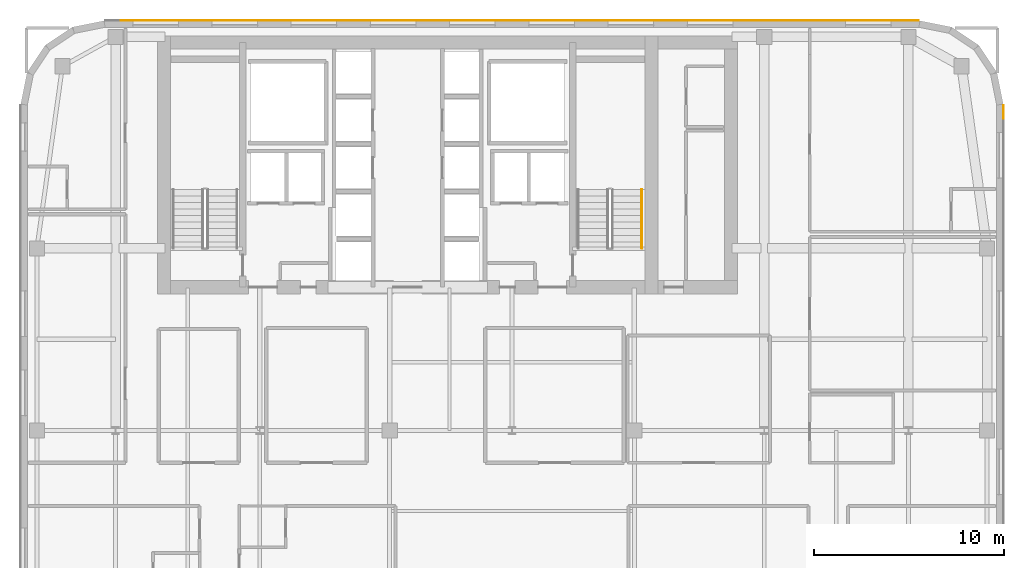
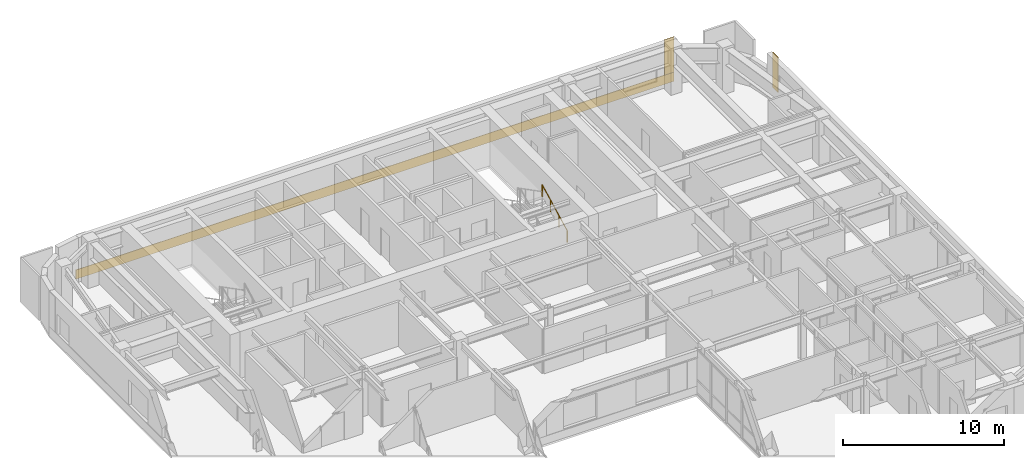
# One storey, part 20 of 20: 3 coverings, 1 railing.
"""IFC4 building model written with IfcOpenShell, lengths in metres."""

from ifc_helpers import new_model, si_unit, direction, frame, origin, origin_2d, place, context, subcontext, project, spatial, polyline, circle, outline, extrude, material, layer, layer_set, type_object, element, save


model = new_model("IFC4")

# Units and contexts
model_context = context("Model", 3, precision=1e-05, world=origin(), true_north=direction((0.0, 1.0)))
body_context = subcontext(model_context, "Body", "Model", "MODEL_VIEW")
ifc_project = project(units=[si_unit("LENGTHUNIT", "METRE"), si_unit("AREAUNIT", "SQUARE_METRE"), si_unit("VOLUMEUNIT", "CUBIC_METRE"), si_unit("PLANEANGLEUNIT", "RADIAN"), si_unit("MASSUNIT", "GRAM", prefix="KILO")], contexts=[model_context])

# Site, building, storey
site_placement = place(None, origin())
site = spatial("IfcSite", under=ifc_project, at=site_placement, CompositionType="ELEMENT")
building_placement = place(site_placement, origin())
building = spatial("IfcBuilding", under=site, at=building_placement, Name="Tolvann Quenvar Hotel", CompositionType="ELEMENT")
storey_placement = place(building_placement, frame((0.0, 0.0, 191.10009765625)))
storey = spatial("IfcBuildingStorey", under=building, at=storey_placement, Name="L50", CompositionType="ELEMENT", Elevation=191.10009765625)

# Coverings
ifc_material_1 = material(Name="Kiln-fired red architectural face brick cladding", Category="masonry")
ifc_layer_1 = layer(ifc_material_1, 0.0400390625)
ifc_layer_set_1 = layer_set([ifc_layer_1], Name="Kiln-fired red architectural face brick cladding")
covering_type_1 = type_object("IfcCoveringType", Name="COV_CLAD_BRICK_40", PredefinedType="CLADDING", material=ifc_layer_set_1)
covering_1_placement = place(storey_placement, frame((0.0, 0.0, 0.699951171875)))
element("IfcCovering", 1, at=covering_1_placement, inside=storey, type_object=covering_type_1, Name="Brick Pier Cladding (L50-E13-P2)", PredefinedType="CLADDING", context=body_context, shape_type="SweptSolid", body=[
    extrude(outline(polyline([(54.39990234375, 40.832763671875), (54.39990234375, 41.53271484375), (54.43994140625, 41.53271484375), (54.43994140625, 40.832763671875), (54.39990234375, 40.832763671875)])), origin(), (0.0, 0.0, 1.0), 2.669921875),
])
covering_2_placement = place(storey_placement, frame((0.0, 0.0, 0.699951171875)))
element("IfcCovering", 2, at=covering_2_placement, inside=storey, type_object=covering_type_1, Name="Brick Pier Cladding (L50-E18-P1)", PredefinedType="CLADDING", context=body_context, shape_type="SweptSolid", body=[
    extrude(outline(polyline([(49.932861328125, 46.0), (49.23291015625, 46.0), (49.23291015625, 46.0400390625), (49.932861328125, 46.0400390625), (49.932861328125, 46.0)])), origin(), (0.0, 0.0, 1.0), 2.669921875),
])
ifc_material_2 = material(Name="Moulded buff architectural terracotta spandrel cladding", Category="masonry")
ifc_layer_2 = layer(ifc_material_2, 0.0400390625)
ifc_layer_set_2 = layer_set([ifc_layer_2], Name="Moulded buff architectural terracotta spandrel cladding")
covering_type_2 = type_object("IfcCoveringType", Name="COV_CLAD_TERRA_40", PredefinedType="CLADDING", material=ifc_layer_set_2)
covering_3_placement = place(storey_placement, origin())
element("IfcCovering", 3, at=covering_3_placement, inside=storey, type_object=covering_type_2, Name="Terracotta Spandrel Cladding (L50-E18)", PredefinedType="CLADDING", context=body_context, shape_type="SweptSolid", body=[
    extrude(outline(polyline([(49.94287109375, 46.0), (7.05712890625, 46.0), (7.05712890625, 46.0400390625), (49.94287109375, 46.0400390625), (49.94287109375, 46.0)])), origin(), (0.0, 0.0, 1.0), 0.699951171875),
])

# Railing
ifc_material_3 = material(Name="Brushed 316 stainless steel balustrade and handrail", Category="steel")
railing_type = type_object("IfcRailingType", Name="HANDRAIL", PredefinedType="HANDRAIL", material=ifc_material_3)
railing_placement = place(storey_placement, frame((35.35009765625, 34.0, 0.177490234375)))
element("IfcRailing", 4, at=railing_placement, inside=storey, type_object=railing_type, Name="L50 ST-C2 stair handrail 1", PredefinedType="HANDRAIL", context=body_context, shape_type="SweptSolid", body=[
    extrude(circle(Radius=0.02392578125, at=origin_2d()), frame((0.0, 0.0, 0.8759765625), z_axis=(0.0, 0.889221982265, 0.45747597342), x_axis=(-1.0, 0.0, 0.0)), (0.0, 0.0, 1.0), 3.49169921875),
    extrude(circle(Radius=0.02099609375, at=origin_2d()), origin(), (0.0, 0.0, 1.0), 0.851806640625),
    extrude(circle(Radius=0.02099609375, at=origin_2d()), frame((0.0, 1.034912109375, 0.532470703125)), (0.0, 0.0, 1.0), 0.851806640625),
    extrude(circle(Radius=0.02099609375, at=origin_2d()), frame((0.0, 2.070068359375, 1.06494140625)), (0.0, 0.0, 1.0), 0.851806640625),
    extrude(circle(Radius=0.02099609375, at=origin_2d()), frame((0.0, 3.10498046875, 1.597412109375)), (0.0, 0.0, 1.0), 0.851806640625),
])

save(model, "model.ifc")
